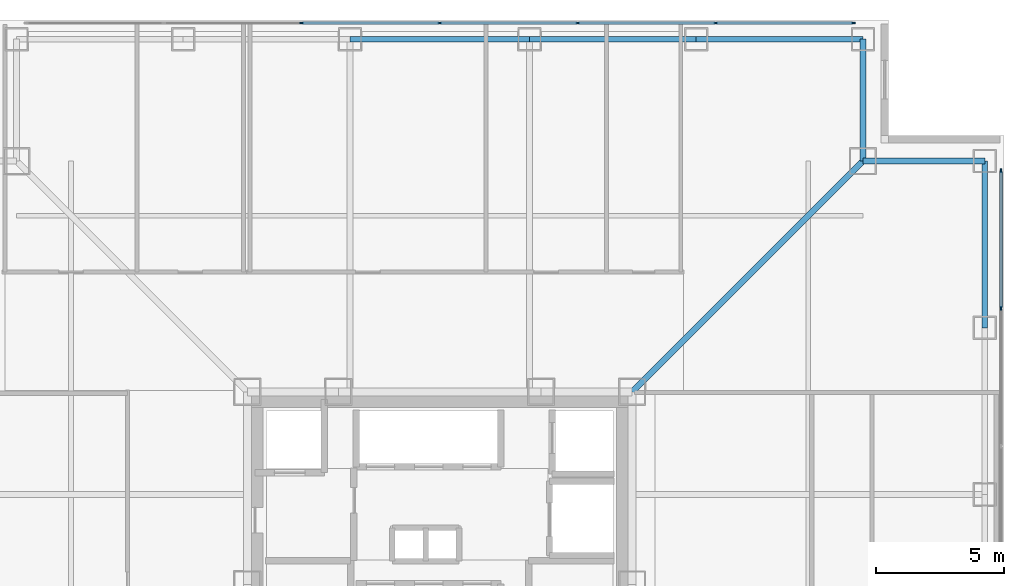
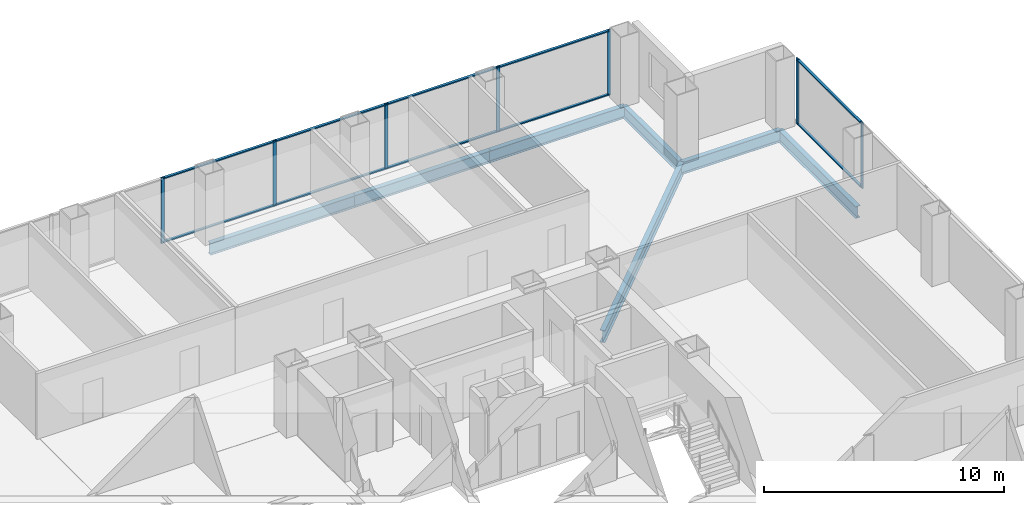
# One storey, part 11 of 17: 17 members, 7 beams, 2 elements without a shape of their own.
"""IFC4 building model written with IfcOpenShell, lengths in metres."""

from ifc_helpers import new_model, si_unit, direction, frame, origin, origin_2d, place, context, subcontext, project, spatial, rectangle, i_section, extrude, material, layer, layer_set, material_profile, profile_set, type_object, element, aggregate, save


model = new_model("IFC4")

# Units and contexts
model_context = context("Model", 3, precision=1e-05, world=origin(), true_north=direction((0.0, 1.0)))
body_context = subcontext(model_context, "Body", "Model", "MODEL_VIEW")
ifc_project = project(units=[si_unit("LENGTHUNIT", "METRE"), si_unit("AREAUNIT", "SQUARE_METRE"), si_unit("VOLUMEUNIT", "CUBIC_METRE"), si_unit("PLANEANGLEUNIT", "RADIAN"), si_unit("MASSUNIT", "GRAM", prefix="KILO")], contexts=[model_context])

# Site, building, storey
site_placement = place(None, origin())
site = spatial("IfcSite", under=ifc_project, at=site_placement, CompositionType="ELEMENT")
building_placement = place(site_placement, origin())
building = spatial("IfcBuilding", under=site, at=building_placement, Name="Trevonay Congress Spire", CompositionType="ELEMENT")
storey_placement = place(building_placement, frame((0.0, 0.0, 108.39990234375)))
storey = spatial("IfcBuildingStorey", under=building, at=storey_placement, Name="L27", CompositionType="ELEMENT", Elevation=108.39990234375)

# Beams
ifc_material_1 = material(Name="Steel ASTM A572 Grade 50", Category="steel")
ifc_material_profile_1 = material_profile(ifc_material_1, i_section(OverallWidth=0.22998046875, OverallDepth=0.616943359375, WebThickness=0.01318359375, FlangeThickness=0.022216796875, FilletRadius=0.01611328125, at=origin_2d()), Name="W610x140")
ifc_profile_set_1 = profile_set([ifc_material_profile_1], Name="Steel ASTM A572 Grade 50")
beam_type_1 = type_object("IfcBeamType", Name="BM-GIRD-W610X140", PredefinedType="BEAM", material=ifc_profile_set_1)
beam_1_placement = place(storey_placement, frame((7.5, 7.5, -0.54833984375), z_axis=(0.707106781187, 0.707106781187, 0.0), x_axis=(-0.707106781187, 0.707106781187, 0.0)))
element("IfcBeam", 1, at=beam_1_placement, inside=storey, type_object=beam_type_1, Name="L27 structural beam BM-L27-CDNE", PredefinedType="BEAM", context=body_context, shape_type="SweptSolid", body=[
    extrude(i_section(OverallWidth=0.22998046875, OverallDepth=0.616943359375, WebThickness=0.01318359375, FlangeThickness=0.022216796875, FilletRadius=0.01611328125, at=origin_2d()), origin(), (0.0, 0.0, 1.0), 12.72802734375),
])
ifc_material_profile_2 = material_profile(ifc_material_1, i_section(OverallWidth=0.22802734375, OverallDepth=0.60791015625, WebThickness=0.01123046875, FlangeThickness=0.017333984375, FilletRadius=0.01611328125, at=origin_2d()), Name="W610x113")
ifc_profile_set_2 = profile_set([ifc_material_profile_2], Name="Steel ASTM A572 Grade 50")
beam_type_2 = type_object("IfcBeamType", Name="BM-RING-W610X113", PredefinedType="BEAM", material=ifc_profile_set_2)
beam_2_placement = place(storey_placement, frame((-3.5, 21.25, -0.5439453125), z_axis=(1.0, 0.0, 0.0), x_axis=(0.0, 1.0, 0.0)))
element("IfcBeam", 2, at=beam_2_placement, inside=storey, type_object=beam_type_2, Name="L27 structural beam BM-L27-PN3", PredefinedType="BEAM", context=body_context, shape_type="SweptSolid", body=[
    extrude(i_section(OverallWidth=0.22802734375, OverallDepth=0.60791015625, WebThickness=0.01123046875, FlangeThickness=0.017333984375, FilletRadius=0.01611328125, at=origin_2d()), origin(), (0.0, 0.0, 1.0), 7.0),
])
for number, where, z_axis, x_axis, name in (
    (3, (3.5, 21.25, -0.5439453125), (1.0, 0.0, 0.0), (0.0, 1.0, 0.0), "L27 structural beam BM-L27-PN4"),
    (4, (10.0, 21.25, -0.5439453125), (1.0, 0.0, 0.0), (0.0, 1.0, 0.0), "L27 structural beam BM-L27-PN5"),
    (5, (21.25, 10.0, -0.5439453125), (0.0, 1.0, 0.0), (-1.0, 0.0, 0.0), "L27 structural beam BM-L27-PE5"),
):
    element("IfcBeam", number, at=place(storey_placement, frame(where, z_axis=z_axis, x_axis=x_axis)), inside=storey, type_object=beam_type_2, Name=name, PredefinedType="BEAM", context=body_context, shape_type="SweptSolid", body=[
        extrude(i_section(OverallWidth=0.22802734375, OverallDepth=0.60791015625, WebThickness=0.01123046875, FlangeThickness=0.017333984375, FilletRadius=0.01611328125, at=origin_2d()), origin(), (0.0, 0.0, 1.0), 6.5),
    ])
for number, where, z_axis, x_axis, name in (
    (6, (16.5, 21.25, -0.5439453125), (0.0, -1.0, 0.0), (1.0, 0.0, 0.0), "L27 structural beam BM-L27-N1NE"),
    (7, (21.25, 16.5, -0.5439453125), (-1.0, 0.0, 0.0), (0.0, -1.0, 0.0), "L27 structural beam BM-L27-N2NE"),
):
    element("IfcBeam", number, at=place(storey_placement, frame(where, z_axis=z_axis, x_axis=x_axis)), inside=storey, type_object=beam_type_2, Name=name, PredefinedType="BEAM", context=body_context, shape_type="SweptSolid", body=[
        extrude(i_section(OverallWidth=0.22802734375, OverallDepth=0.60791015625, WebThickness=0.01123046875, FlangeThickness=0.017333984375, FilletRadius=0.01611328125, at=origin_2d()), origin(), (0.0, 0.0, 1.0), 4.75),
    ])

# Curtain wall, members
ifc_material_2 = material(Name="Pale Anodised Aluminium EN AW-6063-T6", Category="aluminium")
ifc_layer = layer(ifc_material_2, 0.175048828125, Name="Pale Anodised Aluminium EN AW-6063-T6")
ifc_layer_set = layer_set([ifc_layer], Name="Pale Anodised Aluminium EN AW-6063-T6")
curtain_wall_type = type_object("IfcCurtainWallType", Name="CW-SYS03-CONGRESS-PALE-METAL", PredefinedType="NOTDEFINED", material=ifc_layer_set)
curtain_wall_1_placement = place(storey_placement, origin())
curtain_wall_1 = element("IfcCurtainWall", 8, at=curtain_wall_1_placement, inside=storey, type_object=curtain_wall_type, Name="L27 N unitised curtain wall", PredefinedType="NOTDEFINED")
ifc_material_profile_3 = material_profile(ifc_material_2, rectangle(XDim=0.06005859375, YDim=0.159912109375, at=origin_2d()), Name="CW-MULLION-160-ALUMINIUM")
ifc_profile_set_3 = profile_set([ifc_material_profile_3], Name="Pale Anodised Aluminium EN AW-6063-T6")
member_type_1 = type_object("IfcMemberType", Name="CW-MULLION-160-ALUMINIUM", PredefinedType="MULLION", material=ifc_profile_set_3)
member_1_placement = place(storey_placement, frame((-5.38330078125, 21.8798828125, 0.0), z_axis=(0.0, 0.0, 1.0), x_axis=(0.0, 1.0, 0.0)))
member_1 = element("IfcMember", 9, at=member_1_placement, type_object=member_type_1, Name="CW03 mullion 3", PredefinedType="MULLION", context=body_context, shape_type="SweptSolid", body=[
    extrude(rectangle(XDim=0.06005859375, YDim=0.159912109375, at=origin_2d()), origin(), (0.0, 0.0, 1.0), 3.360107421875),
])
member_2_placement = place(storey_placement, frame((0.0, 21.8798828125, 0.0), z_axis=(0.0, 0.0, 1.0), x_axis=(0.0, 1.0, 0.0)))
member_2 = element("IfcMember", 10, at=member_2_placement, type_object=member_type_1, Name="CW03 mullion 4", PredefinedType="MULLION", context=body_context, shape_type="SweptSolid", body=[
    extrude(rectangle(XDim=0.06005859375, YDim=0.159912109375, at=origin_2d()), origin(), (0.0, 0.0, 1.0), 3.360107421875),
])
member_3_placement = place(storey_placement, frame((5.38330078125, 21.8798828125, 0.0), z_axis=(0.0, 0.0, 1.0), x_axis=(0.0, 1.0, 0.0)))
member_3 = element("IfcMember", 11, at=member_3_placement, type_object=member_type_1, Name="CW03 mullion 5", PredefinedType="MULLION", context=body_context, shape_type="SweptSolid", body=[
    extrude(rectangle(XDim=0.06005859375, YDim=0.159912109375, at=origin_2d()), origin(), (0.0, 0.0, 1.0), 3.360107421875),
])
member_4_placement = place(storey_placement, frame((10.7666015625, 21.8798828125, 0.0), z_axis=(0.0, 0.0, 1.0), x_axis=(0.0, 1.0, 0.0)))
member_4 = element("IfcMember", 12, at=member_4_placement, type_object=member_type_1, Name="CW03 mullion 6", PredefinedType="MULLION", context=body_context, shape_type="SweptSolid", body=[
    extrude(rectangle(XDim=0.06005859375, YDim=0.159912109375, at=origin_2d()), origin(), (0.0, 0.0, 1.0), 3.360107421875),
])
member_5_placement = place(storey_placement, frame((16.1201171875, 21.8798828125, 0.0), z_axis=(0.0, 0.0, 1.0), x_axis=(0.0, 1.0, 0.0)))
member_5 = element("IfcMember", 13, at=member_5_placement, type_object=member_type_1, Name="CW03 mullion 7", PredefinedType="MULLION", context=body_context, shape_type="SweptSolid", body=[
    extrude(rectangle(XDim=0.06005859375, YDim=0.159912109375, at=origin_2d()), origin(), (0.0, 0.0, 1.0), 3.360107421875),
])

curtain_wall_2_placement = place(storey_placement, origin())
curtain_wall_2 = element("IfcCurtainWall", 14, at=curtain_wall_2_placement, inside=storey, type_object=curtain_wall_type, Name="L27 E unitised curtain wall", PredefinedType="NOTDEFINED")
member_6_placement = place(storey_placement, frame((21.8798828125, 10.7666015625, 0.0), z_axis=(0.0, 0.0, 1.0), x_axis=(-1.0, 0.0, 0.0)))
member_6 = element("IfcMember", 15, at=member_6_placement, type_object=member_type_1, Name="CW03 mullion 6", PredefinedType="MULLION", context=body_context, shape_type="SweptSolid", body=[
    extrude(rectangle(XDim=0.06005859375, YDim=0.159912109375, at=origin_2d()), origin(), (0.0, 0.0, 1.0), 3.360107421875),
])
member_7_placement = place(storey_placement, frame((21.8798828125, 16.1201171875, 0.0), z_axis=(0.0, 0.0, 1.0), x_axis=(-1.0, 0.0, 0.0)))
member_7 = element("IfcMember", 16, at=member_7_placement, type_object=member_type_1, Name="CW03 mullion 7", PredefinedType="MULLION", context=body_context, shape_type="SweptSolid", body=[
    extrude(rectangle(XDim=0.06005859375, YDim=0.159912109375, at=origin_2d()), origin(), (0.0, 0.0, 1.0), 3.360107421875),
])

# Member
ifc_material_profile_4 = material_profile(ifc_material_2, rectangle(XDim=0.1201171875, YDim=0.06005859375, at=origin_2d()), Name="CW-TRANSOM-120-ALUMINIUM")
ifc_profile_set_4 = profile_set([ifc_material_profile_4], Name="Pale Anodised Aluminium EN AW-6063-T6")
member_type_2 = type_object("IfcMemberType", Name="CW-TRANSOM-120-ALUMINIUM", PredefinedType="USERDEFINED", material=ifc_profile_set_4)
member_8_placement = place(storey_placement, frame((-5.353271484375, 21.8798828125, 0.06005859375), z_axis=(1.0, 0.0, 0.0), x_axis=(0.0, 1.0, 0.0)))
member_8 = element("IfcMember", 17, at=member_8_placement, type_object=member_type_2, Name="CW03 transom 3.1", ObjectType="TRANSOM", PredefinedType="USERDEFINED", context=body_context, shape_type="SweptSolid", body=[
    extrude(rectangle(XDim=0.1201171875, YDim=0.06005859375, at=origin_2d()), origin(), (0.0, 0.0, 1.0), 5.3232421875),
])

member_9_placement = place(storey_placement, frame((-5.353271484375, 21.8798828125, 3.300048828125), z_axis=(1.0, 0.0, 0.0), x_axis=(0.0, 1.0, 0.0)))
member_9 = element("IfcMember", 18, at=member_9_placement, type_object=member_type_2, Name="CW03 transom 3.2", ObjectType="TRANSOM", PredefinedType="USERDEFINED", context=body_context, shape_type="SweptSolid", body=[
    extrude(rectangle(XDim=0.1201171875, YDim=0.06005859375, at=origin_2d()), origin(), (0.0, 0.0, 1.0), 5.3232421875),
])

member_10_placement = place(storey_placement, frame((0.030029296875, 21.8798828125, 0.06005859375), z_axis=(1.0, 0.0, 0.0), x_axis=(0.0, 1.0, 0.0)))
member_10 = element("IfcMember", 19, at=member_10_placement, type_object=member_type_2, Name="CW03 transom 4.1", ObjectType="TRANSOM", PredefinedType="USERDEFINED", context=body_context, shape_type="SweptSolid", body=[
    extrude(rectangle(XDim=0.1201171875, YDim=0.06005859375, at=origin_2d()), origin(), (0.0, 0.0, 1.0), 5.3232421875),
])

member_11_placement = place(storey_placement, frame((0.030029296875, 21.8798828125, 3.300048828125), z_axis=(1.0, 0.0, 0.0), x_axis=(0.0, 1.0, 0.0)))
member_11 = element("IfcMember", 20, at=member_11_placement, type_object=member_type_2, Name="CW03 transom 4.2", ObjectType="TRANSOM", PredefinedType="USERDEFINED", context=body_context, shape_type="SweptSolid", body=[
    extrude(rectangle(XDim=0.1201171875, YDim=0.06005859375, at=origin_2d()), origin(), (0.0, 0.0, 1.0), 5.3232421875),
])

member_12_placement = place(storey_placement, frame((5.413330078125, 21.8798828125, 0.06005859375), z_axis=(1.0, 0.0, 0.0), x_axis=(0.0, 1.0, 0.0)))
member_12 = element("IfcMember", 21, at=member_12_placement, type_object=member_type_2, Name="CW03 transom 5.1", ObjectType="TRANSOM", PredefinedType="USERDEFINED", context=body_context, shape_type="SweptSolid", body=[
    extrude(rectangle(XDim=0.1201171875, YDim=0.06005859375, at=origin_2d()), origin(), (0.0, 0.0, 1.0), 5.3232421875),
])

member_13_placement = place(storey_placement, frame((5.413330078125, 21.8798828125, 3.300048828125), z_axis=(1.0, 0.0, 0.0), x_axis=(0.0, 1.0, 0.0)))
member_13 = element("IfcMember", 22, at=member_13_placement, type_object=member_type_2, Name="CW03 transom 5.2", ObjectType="TRANSOM", PredefinedType="USERDEFINED", context=body_context, shape_type="SweptSolid", body=[
    extrude(rectangle(XDim=0.1201171875, YDim=0.06005859375, at=origin_2d()), origin(), (0.0, 0.0, 1.0), 5.3232421875),
])

member_14_placement = place(storey_placement, frame((10.796630859375, 21.8798828125, 0.06005859375), z_axis=(1.0, 0.0, 0.0), x_axis=(0.0, 1.0, 0.0)))
member_14 = element("IfcMember", 23, at=member_14_placement, type_object=member_type_2, Name="CW03 transom 6.1", ObjectType="TRANSOM", PredefinedType="USERDEFINED", context=body_context, shape_type="SweptSolid", body=[
    extrude(rectangle(XDim=0.1201171875, YDim=0.06005859375, at=origin_2d()), origin(), (0.0, 0.0, 1.0), 5.29345703125),
])

member_15_placement = place(storey_placement, frame((10.796630859375, 21.8798828125, 3.300048828125), z_axis=(1.0, 0.0, 0.0), x_axis=(0.0, 1.0, 0.0)))
member_15 = element("IfcMember", 24, at=member_15_placement, type_object=member_type_2, Name="CW03 transom 6.2", ObjectType="TRANSOM", PredefinedType="USERDEFINED", context=body_context, shape_type="SweptSolid", body=[
    extrude(rectangle(XDim=0.1201171875, YDim=0.06005859375, at=origin_2d()), origin(), (0.0, 0.0, 1.0), 5.29345703125),
])

aggregate(curtain_wall_1, [member_1, member_2, member_3, member_4, member_5, member_8, member_9, member_10, member_11, member_12, member_13, member_14, member_15])

member_16_placement = place(storey_placement, frame((21.8798828125, 10.796630859375, 0.06005859375), z_axis=(0.0, 1.0, 0.0), x_axis=(-1.0, 0.0, 0.0)))
member_16 = element("IfcMember", 25, at=member_16_placement, type_object=member_type_2, Name="CW03 transom 6.1", ObjectType="TRANSOM", PredefinedType="USERDEFINED", context=body_context, shape_type="SweptSolid", body=[
    extrude(rectangle(XDim=0.1201171875, YDim=0.06005859375, at=origin_2d()), origin(), (0.0, 0.0, 1.0), 5.29345703125),
])

member_17_placement = place(storey_placement, frame((21.8798828125, 10.796630859375, 3.300048828125), z_axis=(0.0, 1.0, 0.0), x_axis=(-1.0, 0.0, 0.0)))
member_17 = element("IfcMember", 26, at=member_17_placement, type_object=member_type_2, Name="CW03 transom 6.2", ObjectType="TRANSOM", PredefinedType="USERDEFINED", context=body_context, shape_type="SweptSolid", body=[
    extrude(rectangle(XDim=0.1201171875, YDim=0.06005859375, at=origin_2d()), origin(), (0.0, 0.0, 1.0), 5.29345703125),
])

aggregate(curtain_wall_2, [member_6, member_7, member_16, member_17])

save(model, "model.ifc")
